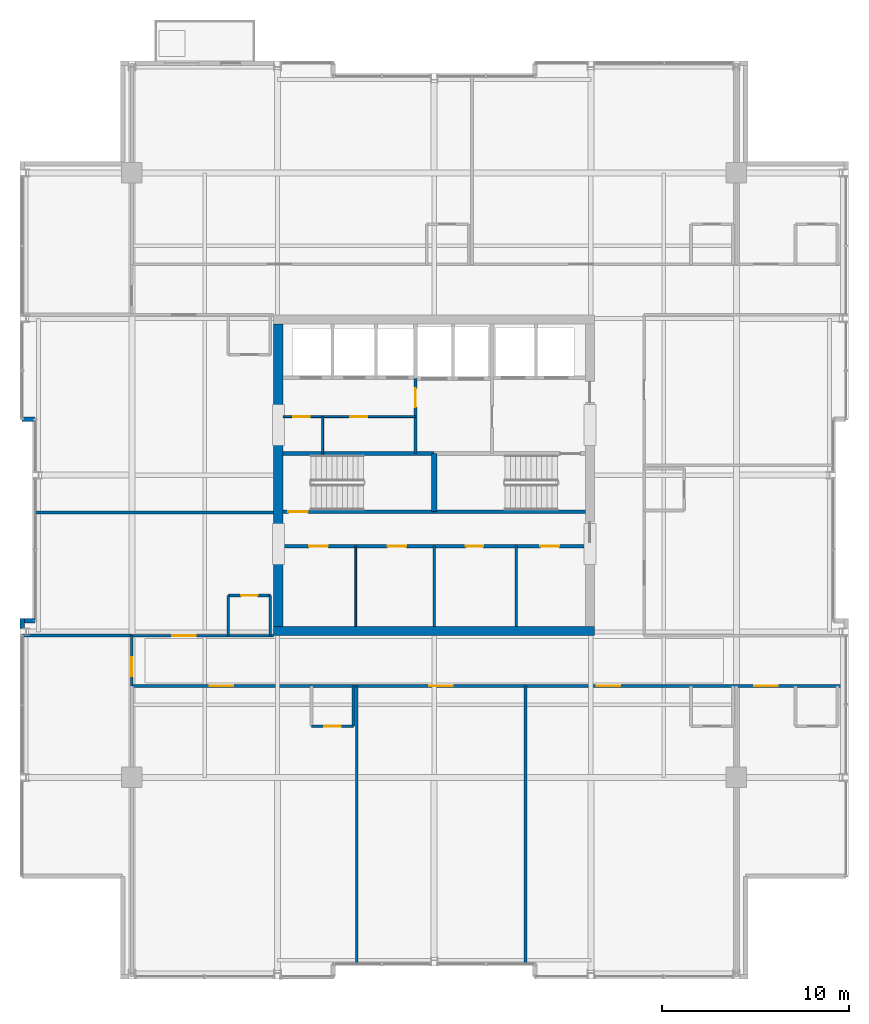
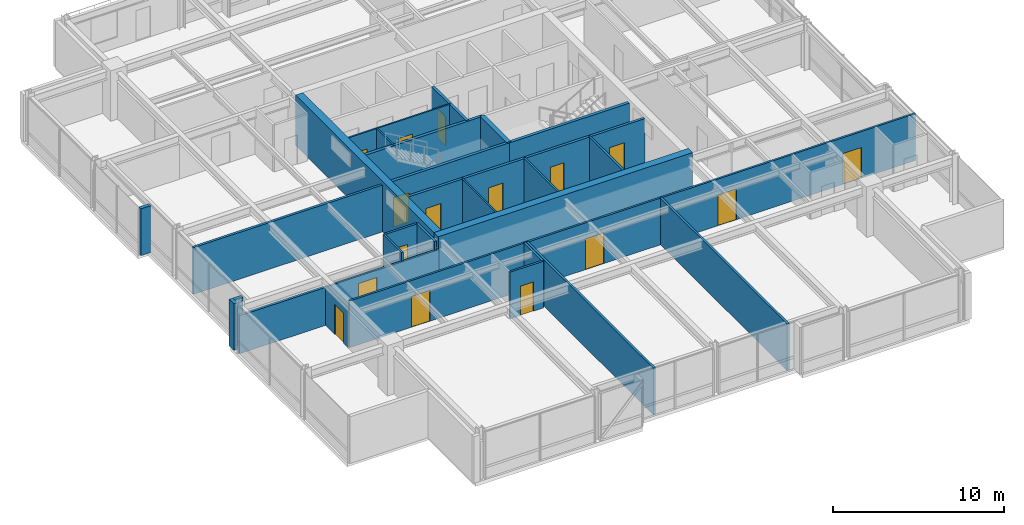
# One storey, part 26 of 32: 28 walls, 16 doors, 16 openings.
"""IFC4 building model written with IfcOpenShell, lengths in metres."""

from ifc_helpers import new_model, si_unit, direction, frame, frame_2d, origin, place, context, subcontext, project, spatial, rectangle, extrude, material, layer, layer_set, type_object, element, fill, save


model = new_model("IFC4")

# Units and contexts
model_context = context("Model", 3, precision=1e-05, world=origin(), true_north=direction((0.0, 1.0)))
body_context = subcontext(model_context, "Body", "Model", "MODEL_VIEW")
ifc_project = project(units=[si_unit("LENGTHUNIT", "METRE"), si_unit("AREAUNIT", "SQUARE_METRE"), si_unit("VOLUMEUNIT", "CUBIC_METRE"), si_unit("PLANEANGLEUNIT", "RADIAN"), si_unit("MASSUNIT", "GRAM", prefix="KILO")], contexts=[model_context])

# Site, building, storey
site_placement = place(None, origin())
site = spatial("IfcSite", under=ifc_project, at=site_placement, CompositionType="ELEMENT")
building_placement = place(site_placement, origin())
building = spatial("IfcBuilding", under=site, at=building_placement, Name="Drelvath Grand Hotel", CompositionType="ELEMENT")
storey_placement = place(building_placement, frame((0.0, 0.0, 223.10009765625)))
storey = spatial("IfcBuildingStorey", under=building, at=storey_placement, Name="L58", CompositionType="ELEMENT", Elevation=223.10009765625)

# Wall, openings, doors
ifc_material_1 = material(Name="Gypsum Partition Board")
ifc_layer_1 = layer(ifc_material_1, 0.10009765625)
ifc_layer_set_1 = layer_set([ifc_layer_1], Name="Gypsum Partition Board")
wall_type_1 = type_object("IfcWallType", Name="Core Closet Partition 100", PredefinedType="PARTITIONING", material=ifc_layer_set_1)
wall_1_placement = place(storey_placement, frame((-8.10009765625, 30.139892578125, 0.0), z_axis=(0.0, 0.0, 1.0), x_axis=(1.0, 0.0, 0.0)))
wall_1 = element("IfcWall", 1, at=wall_1_placement, inside=storey, type_object=wall_type_1, Name="L58 High-Rise Lobby Closet Wall", PredefinedType="PARTITIONING", context=body_context, shape_type="SweptSolid", body=[
    extrude(rectangle(XDim=7.10009765625, YDim=0.10009765625, at=frame_2d((3.550048828125, 0.0))), origin(), (0.0, 0.0, 1.0), 3.33984375),
])
opening_1_placement = place(wall_1_placement, frame((0.550048828125, 0.0, 0.0)))
opening_1 = element("IfcOpeningElement", 2, at=opening_1_placement, cuts=wall_1, Name="Opening D-T4G2-013", PredefinedType="OPENING", context=body_context, shape_type="SweptSolid", body=[
    extrude(rectangle(XDim=0.8798828125, YDim=2.10009765625, at=frame_2d((0.43994140625, 1.050048828125))), frame((0.0, 0.06005859375, 0.0), z_axis=(0.0, -1.0, 0.0), x_axis=(1.0, 0.0, 0.0)), (0.0, 0.0, 1.0), 0.1201171875),
])
opening_2_placement = place(wall_1_placement, frame((3.60009765625, 0.0, 0.0)))
opening_2 = element("IfcOpeningElement", 3, at=opening_2_placement, cuts=wall_1, Name="Opening D-T4G2-014", PredefinedType="OPENING", context=body_context, shape_type="SweptSolid", body=[
    extrude(rectangle(XDim=0.919921875, YDim=2.10009765625, at=frame_2d((0.4599609375, 1.050048828125))), frame((0.0, 0.06005859375, 0.0), z_axis=(0.0, -1.0, 0.0), x_axis=(1.0, 0.0, 0.0)), (0.0, 0.0, 1.0), 0.1201171875),
])
ifc_material_2 = material(Name="Hardwood Walnut Timber", Category="wood")
door_type_1 = type_object("IfcDoorType", Name="En-Suite Bathroom Door 880x2100", OperationType="NOTDEFINED", PredefinedType="DOOR", material=ifc_material_2)
door_1_placement = place(opening_1_placement, origin())
door_1 = element("IfcDoor", 4, at=door_1_placement, inside=storey, type_object=door_type_1, Name="L58 Low-Voltage Closet Door", OperationType="SINGLE_SWING_RIGHT", OverallHeight=2.10009765625, OverallWidth=0.8798828125, PredefinedType="DOOR", context=body_context, shape_type="SweptSolid", body=[
    extrude(rectangle(XDim=0.8798828125, YDim=2.10009765625, at=frame_2d((0.43994140625, 1.050048828125))), frame((0.0, 0.02490234375, 0.0), z_axis=(0.0, -1.0, 0.0), x_axis=(1.0, 0.0, 0.0)), (0.0, 0.0, 1.0), 0.050048828125),
])
fill(opening_1, door_1)
ifc_material_3 = material(Name="Painted Steel S275", Category="steel")
door_type_2 = type_object("IfcDoorType", Name="Staff Utility Door 920x2100", OperationType="NOTDEFINED", PredefinedType="DOOR", material=ifc_material_3)
door_2_placement = place(opening_2_placement, origin())
door_2 = element("IfcDoor", 5, at=door_2_placement, inside=storey, type_object=door_type_2, Name="L58 Telecom Distribution Door", OperationType="SINGLE_SWING_LEFT", OverallHeight=2.10009765625, OverallWidth=0.919921875, PredefinedType="DOOR", context=body_context, shape_type="SweptSolid", body=[
    extrude(rectangle(XDim=0.919921875, YDim=2.10009765625, at=frame_2d((0.4599609375, 1.050048828125))), frame((0.0, 0.02490234375, 0.0), z_axis=(0.0, -1.0, 0.0), x_axis=(1.0, 0.0, 0.0)), (0.0, 0.0, 1.0), 0.050048828125),
])
fill(opening_2, door_2)

# Walls
wall_2_placement = place(storey_placement, frame((-5.97998046875, 28.159912109375, 0.0), z_axis=(0.0, 0.0, 1.0), x_axis=(0.0, 1.0, 0.0)))
element("IfcWall", 6, at=wall_2_placement, inside=storey, type_object=wall_type_1, Name="L58 Core Closet Split 2", PredefinedType="PARTITIONING", context=body_context, shape_type="SweptSolid", body=[
    extrude(rectangle(XDim=1.97998046875, YDim=0.10009765625, at=frame_2d((0.989990234375, 0.0))), origin(), (0.0, 0.0, 1.0), 3.33984375),
])
wall_3_placement = place(storey_placement, frame((-4.199951171875, 18.89990234375, 0.0), z_axis=(0.0, 0.0, 1.0), x_axis=(0.0, 1.0, 0.0)))
element("IfcWall", 7, at=wall_3_placement, inside=storey, type_object=wall_type_1, Name="L58 Upper Core Split 2A", PredefinedType="PARTITIONING", context=body_context, shape_type="SweptSolid", body=[
    extrude(rectangle(XDim=4.300048828125, YDim=0.10009765625, at=frame_2d((2.14990234375, 0.0))), origin(), (0.0, 0.0, 1.0), 3.33984375),
])

# Wall, opening, door
ifc_material_4 = material(Name="Concrete C40/50", Category="concrete")
ifc_layer_2 = layer(ifc_material_4, 0.199951171875)
ifc_layer_set_2 = layer_set([ifc_layer_2], Name="Concrete C40/50")
wall_type_2 = type_object("IfcWallType", Name="Core Shaft Fire Wall 200", PredefinedType="SOLIDWALL", material=ifc_layer_set_2)
wall_4_placement = place(storey_placement, frame((-8.10009765625, 25.0400390625, 0.0), z_axis=(0.0, 0.0, 1.0), x_axis=(1.0, 0.0, 0.0)))
wall_4 = element("IfcWall", 8, at=wall_4_placement, inside=storey, type_object=wall_type_2, Name="L58 Stair ST-1 South Wall", PredefinedType="SOLIDWALL", context=body_context, shape_type="SweptSolid", body=[
    extrude(rectangle(XDim=8.10009765625, YDim=0.199951171875, at=frame_2d((4.050048828125, 0.0))), origin(), (0.0, 0.0, 1.0), 3.33984375),
])
opening_3_placement = place(wall_4_placement, frame((0.280029296875, 0.0, 0.0)))
opening_3 = element("IfcOpeningElement", 9, at=opening_3_placement, cuts=wall_4, Name="Opening D-T4G2-001", PredefinedType="OPENING", context=body_context, shape_type="SweptSolid", body=[
    extrude(rectangle(XDim=1.050048828125, YDim=2.10009765625, at=frame_2d((0.52490234375, 1.050048828125))), frame((0.0, 0.10986328125, 0.0), z_axis=(0.0, -1.0, 0.0), x_axis=(1.0, 0.0, 0.0)), (0.0, 0.0, 1.0), 0.219970703125),
])
door_type_3 = type_object("IfcDoorType", Name="Tower Stairwell Fire Door 1050x2100", OperationType="NOTDEFINED", PredefinedType="DOOR", material=ifc_material_3)
door_3_placement = place(opening_3_placement, origin())
door_3 = element("IfcDoor", 10, at=door_3_placement, inside=storey, type_object=door_type_3, Name="L58 Exit Stair ST-1 Door", OperationType="SINGLE_SWING_LEFT", OverallHeight=2.10009765625, OverallWidth=1.050048828125, PredefinedType="DOOR", context=body_context, shape_type="SweptSolid", body=[
    extrude(rectangle(XDim=1.050048828125, YDim=2.10009765625, at=frame_2d((0.52490234375, 1.050048828125))), frame((0.0, 0.02490234375, 0.0), z_axis=(0.0, -1.0, 0.0), x_axis=(1.0, 0.0, 0.0)), (0.0, 0.0, 1.0), 0.050048828125),
])
fill(opening_3, door_3)

# Walls
for number, where, z_axis, x_axis, name in (
    (11, (-8.10009765625, 28.159912109375, 0.0), (0.0, 0.0, 1.0), (1.0, 0.0, 0.0), "L58 Stair ST-1 North Wall"),
    (12, (0.0, 25.0400390625, 0.0), (0.0, 0.0, 1.0), (1.0, 0.0, 0.0), "L58 Stair ST-2 South Wall"),
):
    element("IfcWall", number, at=place(storey_placement, frame(where, z_axis=z_axis, x_axis=x_axis)), inside=storey, type_object=wall_type_2, Name=name, PredefinedType="SOLIDWALL", context=body_context, shape_type="SweptSolid", body=[
        extrude(rectangle(XDim=8.10009765625, YDim=0.199951171875, at=frame_2d((4.050048828125, 0.0))), origin(), (0.0, 0.0, 1.0), 3.33984375),
    ])
ifc_layer_3 = layer(ifc_material_4, 0.300048828125)
ifc_layer_set_3 = layer_set([ifc_layer_3], Name="Concrete C40/50")
wall_type_3 = type_object("IfcWallType", Name="Core Shaft Fire Wall 300", PredefinedType="SOLIDWALL", material=ifc_layer_set_3)
wall_5_placement = place(storey_placement, frame((0.0, 25.0400390625, 0.0), z_axis=(0.0, 0.0, 1.0), x_axis=(0.0, 1.0, 0.0)))
element("IfcWall", 13, at=wall_5_placement, inside=storey, type_object=wall_type_3, Name="L58 Core Stair Divider Wall", PredefinedType="SOLIDWALL", context=body_context, shape_type="SweptSolid", body=[
    extrude(rectangle(XDim=3.119873046875, YDim=0.300048828125, at=frame_2d((1.56005859375, 0.0))), origin(), (0.0, 0.0, 1.0), 3.33984375),
])

# Wall, openings, doors
ifc_material_5 = material(Name="Gypsum Fireboard Partition")
ifc_layer_4 = layer(ifc_material_5, 0.135009765625)
ifc_layer_set_4 = layer_set([ifc_layer_4], Name="Gypsum Fireboard Partition")
wall_type_4 = type_object("IfcWallType", Name="Corridor Fire Barrier Wall 135", PredefinedType="PARTITIONING", material=ifc_layer_set_4)
wall_6_placement = place(storey_placement, frame((-16.199951171875, 15.699951171875, 0.0), z_axis=(0.0, 0.0, 1.0), x_axis=(1.0, 0.0, 0.0)))
wall_6 = element("IfcWall", 14, at=wall_6_placement, inside=storey, type_object=wall_type_4, Name="L58 South Cross-Gallery Wall", PredefinedType="PARTITIONING", context=body_context, shape_type="SweptSolid", body=[
    extrude(rectangle(XDim=38.280029296875, YDim=0.135009765625, at=frame_2d((19.14013671875, 0.0))), origin(), (0.0, 0.0, 1.0), 3.33984375),
])
opening_4_placement = place(wall_6_placement, frame((33.35498046875, 0.0, 0.0)))
opening_4 = element("IfcOpeningElement", 15, at=opening_4_placement, cuts=wall_6, Name="Opening D-T4G2-023", PredefinedType="OPENING", context=body_context, shape_type="SweptSolid", body=[
    extrude(rectangle(XDim=1.260009765625, YDim=2.199951171875, at=frame_2d((0.6298828125, 1.10009765625))), frame((0.0, 0.077392578125, 0.0), z_axis=(0.0, -1.0, 0.0), x_axis=(1.0, 0.0, 0.0)), (0.0, 0.0, 1.0), 0.155029296875),
])
opening_5_placement = place(wall_6_placement, frame((4.182861328125, 0.0, 0.0)))
opening_5 = element("IfcOpeningElement", 16, at=opening_5_placement, cuts=wall_6, Name="Opening D-T4G2-027", PredefinedType="OPENING", context=body_context, shape_type="SweptSolid", body=[
    extrude(rectangle(XDim=1.260009765625, YDim=2.199951171875, at=frame_2d((0.6298828125, 1.10009765625))), frame((0.0, 0.077392578125, 0.0), z_axis=(0.0, -1.0, 0.0), x_axis=(1.0, 0.0, 0.0)), (0.0, 0.0, 1.0), 0.155029296875),
])
opening_6_placement = place(wall_6_placement, frame((15.94677734375, 0.0, 0.0)))
opening_6 = element("IfcOpeningElement", 17, at=opening_6_placement, cuts=wall_6, Name="Opening D-T4G2-028", PredefinedType="OPENING", context=body_context, shape_type="SweptSolid", body=[
    extrude(rectangle(XDim=1.260009765625, YDim=2.199951171875, at=frame_2d((0.6298828125, 1.10009765625))), frame((0.0, 0.077392578125, 0.0), z_axis=(0.0, -1.0, 0.0), x_axis=(1.0, 0.0, 0.0)), (0.0, 0.0, 1.0), 0.155029296875),
])
opening_7_placement = place(wall_6_placement, frame((24.90380859375, 0.0, 0.0)))
opening_7 = element("IfcOpeningElement", 18, at=opening_7_placement, cuts=wall_6, Name="Opening D-T4G2-030", PredefinedType="OPENING", context=body_context, shape_type="SweptSolid", body=[
    extrude(rectangle(XDim=1.260009765625, YDim=2.199951171875, at=frame_2d((0.6298828125, 1.10009765625))), frame((0.0, 0.077392578125, 0.0), z_axis=(0.0, -1.0, 0.0), x_axis=(1.0, 0.0, 0.0)), (0.0, 0.0, 1.0), 0.155029296875),
])
door_type_4 = type_object("IfcDoorType", Name="Suite Entrance Fire Door 1260x2200", OperationType="NOTDEFINED", PredefinedType="DOOR", material=ifc_material_2)
door_4_placement = place(opening_4_placement, origin())
door_4 = element("IfcDoor", 19, at=door_4_placement, inside=storey, type_object=door_type_4, Name="L58 Diplomatic Suite Entry Door", OperationType="SINGLE_SWING_RIGHT", OverallHeight=2.199951171875, OverallWidth=1.260009765625, PredefinedType="DOOR", context=body_context, shape_type="SweptSolid", body=[
    extrude(rectangle(XDim=1.260009765625, YDim=2.199951171875, at=frame_2d((0.6298828125, 1.10009765625))), frame((0.0, 0.02490234375, 0.0), z_axis=(0.0, -1.0, 0.0), x_axis=(1.0, 0.0, 0.0)), (0.0, 0.0, 1.0), 0.050048828125),
])
fill(opening_4, door_4)
door_5_placement = place(opening_5_placement, origin())
door_5 = element("IfcDoor", 20, at=door_5_placement, inside=storey, type_object=door_type_4, Name="L58 Diplomatic Suite Entry Door", OperationType="SINGLE_SWING_RIGHT", OverallHeight=2.199951171875, OverallWidth=1.260009765625, PredefinedType="DOOR", context=body_context, shape_type="SweptSolid", body=[
    extrude(rectangle(XDim=1.260009765625, YDim=2.199951171875, at=frame_2d((0.6298828125, 1.10009765625))), frame((0.0, 0.02490234375, 0.0), z_axis=(0.0, -1.0, 0.0), x_axis=(1.0, 0.0, 0.0)), (0.0, 0.0, 1.0), 0.050048828125),
])
fill(opening_5, door_5)
door_6_placement = place(opening_6_placement, origin())
door_6 = element("IfcDoor", 21, at=door_6_placement, inside=storey, type_object=door_type_4, Name="L58 Private Spa Suite Room Entry Door", OperationType="SINGLE_SWING_LEFT", OverallHeight=2.199951171875, OverallWidth=1.260009765625, PredefinedType="DOOR", context=body_context, shape_type="SweptSolid", body=[
    extrude(rectangle(XDim=1.260009765625, YDim=2.199951171875, at=frame_2d((0.6298828125, 1.10009765625))), frame((0.0, 0.02490234375, 0.0), z_axis=(0.0, -1.0, 0.0), x_axis=(1.0, 0.0, 0.0)), (0.0, 0.0, 1.0), 0.050048828125),
])
fill(opening_6, door_6)
door_7_placement = place(opening_7_placement, origin())
door_7 = element("IfcDoor", 22, at=door_7_placement, inside=storey, type_object=door_type_4, Name="L58 Diplomatic Suite Entry Door", OperationType="SINGLE_SWING_LEFT", OverallHeight=2.199951171875, OverallWidth=1.260009765625, PredefinedType="DOOR", context=body_context, shape_type="SweptSolid", body=[
    extrude(rectangle(XDim=1.260009765625, YDim=2.199951171875, at=frame_2d((0.6298828125, 1.10009765625))), frame((0.0, 0.02490234375, 0.0), z_axis=(0.0, -1.0, 0.0), x_axis=(1.0, 0.0, 0.0)), (0.0, 0.0, 1.0), 0.050048828125),
])
fill(opening_7, door_7)

# Wall, opening, door
wall_7_placement = place(storey_placement, frame((-16.199951171875, 18.39990234375, 0.0), z_axis=(0.0, 0.0, 1.0), x_axis=(1.0, 0.0, 0.0)))
wall_7 = element("IfcWall", 23, at=wall_7_placement, inside=storey, type_object=wall_type_4, Name="L58 South Gallery Inner West Wall", PredefinedType="PARTITIONING", context=body_context, shape_type="SweptSolid", body=[
    extrude(rectangle(XDim=7.599853515625, YDim=0.135009765625, at=frame_2d((3.7998046875, 0.0))), origin(), (0.0, 0.0, 1.0), 2.71728515625),
])
opening_8_placement = place(wall_7_placement, frame((2.155029296875, 0.0, 0.0)))
opening_8 = element("IfcOpeningElement", 24, at=opening_8_placement, cuts=wall_7, Name="Opening D-T4G2-039", PredefinedType="OPENING", context=body_context, shape_type="SweptSolid", body=[
    extrude(rectangle(XDim=1.260009765625, YDim=2.199951171875, at=frame_2d((0.6298828125, 1.10009765625))), frame((0.0, 0.077392578125, 0.0), z_axis=(0.0, -1.0, 0.0), x_axis=(1.0, 0.0, 0.0)), (0.0, 0.0, 1.0), 0.155029296875),
])
door_8_placement = place(opening_8_placement, origin())
door_8 = element("IfcDoor", 25, at=door_8_placement, inside=storey, type_object=door_type_4, Name="L58 Diplomatic Suite Entry Door", OperationType="SINGLE_SWING_RIGHT", OverallHeight=2.199951171875, OverallWidth=1.260009765625, PredefinedType="DOOR", context=body_context, shape_type="SweptSolid", body=[
    extrude(rectangle(XDim=1.260009765625, YDim=2.199951171875, at=frame_2d((0.6298828125, 1.10009765625))), frame((0.0, 0.02490234375, 0.0), z_axis=(0.0, -1.0, 0.0), x_axis=(1.0, 0.0, 0.0)), (0.0, 0.0, 1.0), 0.050048828125),
])
fill(opening_8, door_8)

wall_8_placement = place(storey_placement, frame((-16.199951171875, 15.699951171875, 0.0), z_axis=(0.0, 0.0, 1.0), x_axis=(0.0, 1.0, 0.0)))
wall_8 = element("IfcWall", 26, at=wall_8_placement, inside=storey, type_object=wall_type_4, Name="L58 South Gallery West End", PredefinedType="PARTITIONING", context=body_context, shape_type="SweptSolid", body=[
    extrude(rectangle(XDim=2.699951171875, YDim=0.135009765625, at=frame_2d((1.35009765625, 0.0))), origin(), (0.0, 0.0, 1.0), 2.713623046875),
])
opening_9_placement = place(wall_8_placement, frame((0.52001953125, 0.0, 0.0)))
opening_9 = element("IfcOpeningElement", 27, at=opening_9_placement, cuts=wall_8, Name="Opening D-T4G2-020", PredefinedType="OPENING", context=body_context, shape_type="SweptSolid", body=[
    extrude(rectangle(XDim=1.02001953125, YDim=2.14990234375, at=frame_2d((0.510009765625, 1.074951171875))), frame((0.0, 0.077392578125, 0.0), z_axis=(0.0, -1.0, 0.0), x_axis=(1.0, 0.0, 0.0)), (0.0, 0.0, 1.0), 0.155029296875),
])
door_type_5 = type_object("IfcDoorType", Name="Amenity Meeting Fire Door 1020x2150", OperationType="NOTDEFINED", PredefinedType="DOOR", material=ifc_material_2)
door_9_placement = place(opening_9_placement, origin())
door_9 = element("IfcDoor", 28, at=door_9_placement, inside=storey, type_object=door_type_5, Name="L58 Corner Panorama Lounge Door", OperationType="SINGLE_SWING_LEFT", OverallHeight=2.14990234375, OverallWidth=1.02001953125, PredefinedType="DOOR", context=body_context, shape_type="SweptSolid", body=[
    extrude(rectangle(XDim=1.02001953125, YDim=2.14990234375, at=frame_2d((0.510009765625, 1.074951171875))), frame((0.0, 0.02490234375, 0.0), z_axis=(0.0, -1.0, 0.0), x_axis=(1.0, 0.0, 0.0)), (0.0, 0.0, 1.0), 0.050048828125),
])
fill(opening_9, door_9)

# Walls
ifc_material_6 = material(Name="Moisture-Resistant Gypsum Board")
ifc_layer_5 = layer(ifc_material_6, 0.139892578125)
ifc_layer_set_5 = layer_set([ifc_layer_5], Name="Moisture-Resistant Gypsum Board")
wall_type_5 = type_object("IfcWallType", Name="En-Suite Plumbing Wall 140", PredefinedType="PLUMBINGWALL", material=ifc_layer_set_5)
for number, where, z_axis, x_axis, name in (
    (29, (0.0, 18.89990234375, 0.0), (0.0, 0.0, 1.0), (0.0, 1.0, 0.0), "L58 Upper Core Split 2B"),
    (30, (4.39990234375, 18.89990234375, 0.0), (0.0, 0.0, 1.0), (0.0, 1.0, 0.0), "L58 Upper Core Split 2C"),
):
    element("IfcWall", number, at=place(storey_placement, frame(where, z_axis=z_axis, x_axis=x_axis)), inside=storey, type_object=wall_type_5, Name=name, PredefinedType="PLUMBINGWALL", context=body_context, shape_type="SweptSolid", body=[
        extrude(rectangle(XDim=4.300048828125, YDim=0.139892578125, at=frame_2d((2.14990234375, 0.0))), origin(), (0.0, 0.0, 1.0), 3.33984375),
    ])
wall_9_placement = place(storey_placement, frame((-4.32421875, 15.699951171875, 0.0), z_axis=(0.0, 0.0, 1.0), x_axis=(0.0, -1.0, 0.0)))
element("IfcWall", 31, at=wall_9_placement, inside=storey, type_object=wall_type_5, Name="L58 En-Suite Right Wall", PredefinedType="PLUMBINGWALL", context=body_context, shape_type="SweptSolid", body=[
    extrude(rectangle(XDim=2.14990234375, YDim=0.139892578125, at=frame_2d((1.074951171875, 0.0))), origin(), (0.0, 0.0, 1.0), 3.33984375),
])

# Wall, opening, door
wall_10_placement = place(storey_placement, frame((-6.57421875, 13.550048828125, 0.0), z_axis=(0.0, 0.0, 1.0), x_axis=(1.0, 0.0, 0.0)))
wall_10 = element("IfcWall", 32, at=wall_10_placement, inside=storey, type_object=wall_type_5, Name="L58 En-Suite Front Wall", PredefinedType="PLUMBINGWALL", context=body_context, shape_type="SweptSolid", body=[
    extrude(rectangle(XDim=2.25, YDim=0.139892578125, at=frame_2d((1.125, 0.0))), origin(), (0.0, 0.0, 1.0), 3.33984375),
])
opening_10_placement = place(wall_10_placement, frame((0.68505859375, 0.0, 0.0)))
opening_10 = element("IfcOpeningElement", 33, at=opening_10_placement, cuts=wall_10, Name="Opening D-T4G2-026", PredefinedType="OPENING", context=body_context, shape_type="SweptSolid", body=[
    extrude(rectangle(XDim=0.8798828125, YDim=2.10009765625, at=frame_2d((0.43994140625, 1.050048828125))), frame((0.0, 0.079833984375, 0.0), z_axis=(0.0, -1.0, 0.0), x_axis=(1.0, 0.0, 0.0)), (0.0, 0.0, 1.0), 0.159912109375),
])
door_10_placement = place(opening_10_placement, origin())
door_10 = element("IfcDoor", 34, at=door_10_placement, inside=storey, type_object=door_type_1, Name="L58 En-Suite Bathroom Door", OperationType="SINGLE_SWING_LEFT", OverallHeight=2.10009765625, OverallWidth=0.8798828125, PredefinedType="DOOR", context=body_context, shape_type="SweptSolid", body=[
    extrude(rectangle(XDim=0.8798828125, YDim=2.10009765625, at=frame_2d((0.43994140625, 1.050048828125))), frame((0.0, 0.02490234375, 0.0), z_axis=(0.0, -1.0, 0.0), x_axis=(1.0, 0.0, 0.0)), (0.0, 0.0, 1.0), 0.050048828125),
])
fill(opening_10, door_10)

# Walls
for number, where, z_axis, x_axis, name in (
    (35, (-11.030029296875, 18.39990234375, 0.0), (0.0, 0.0, 1.0), (0.0, 1.0, 0.0), "L58 En-Suite Left Wall"),
    (36, (-8.780029296875, 18.39990234375, 0.0), (0.0, 0.0, 1.0), (0.0, 1.0, 0.0), "L58 En-Suite Right Wall"),
):
    element("IfcWall", number, at=place(storey_placement, frame(where, z_axis=z_axis, x_axis=x_axis)), inside=storey, type_object=wall_type_5, Name=name, PredefinedType="PLUMBINGWALL", context=body_context, shape_type="SweptSolid", body=[
        extrude(rectangle(XDim=2.150146484375, YDim=0.139892578125, at=frame_2d((1.0751953125, 0.0))), origin(), (0.0, 0.0, 1.0), 3.33984375),
    ])

# Wall, opening, door
wall_11_placement = place(storey_placement, frame((-11.030029296875, 20.550048828125, 0.0), z_axis=(0.0, 0.0, 1.0), x_axis=(1.0, 0.0, 0.0)))
wall_11 = element("IfcWall", 37, at=wall_11_placement, inside=storey, type_object=wall_type_5, Name="L58 En-Suite Front Wall", PredefinedType="PLUMBINGWALL", context=body_context, shape_type="SweptSolid", body=[
    extrude(rectangle(XDim=2.25, YDim=0.139892578125, at=frame_2d((1.125, 0.0))), origin(), (0.0, 0.0, 1.0), 3.33984375),
])
opening_11_placement = place(wall_11_placement, frame((0.68505859375, 0.0, 0.0)))
opening_11 = element("IfcOpeningElement", 38, at=opening_11_placement, cuts=wall_11, Name="Opening D-T4G2-038", PredefinedType="OPENING", context=body_context, shape_type="SweptSolid", body=[
    extrude(rectangle(XDim=0.8798828125, YDim=2.10009765625, at=frame_2d((0.43994140625, 1.050048828125))), frame((0.0, 0.079833984375, 0.0), z_axis=(0.0, -1.0, 0.0), x_axis=(1.0, 0.0, 0.0)), (0.0, 0.0, 1.0), 0.159912109375),
])
door_11_placement = place(opening_11_placement, origin())
door_11 = element("IfcDoor", 39, at=door_11_placement, inside=storey, type_object=door_type_1, Name="L58 En-Suite Bathroom Door", OperationType="SINGLE_SWING_LEFT", OverallHeight=2.10009765625, OverallWidth=0.8798828125, PredefinedType="DOOR", context=body_context, shape_type="SweptSolid", body=[
    extrude(rectangle(XDim=0.8798828125, YDim=2.10009765625, at=frame_2d((0.43994140625, 1.050048828125))), frame((0.0, 0.02490234375, 0.0), z_axis=(0.0, -1.0, 0.0), x_axis=(1.0, 0.0, 0.0)), (0.0, 0.0, 1.0), 0.050048828125),
])
fill(opening_11, door_11)

ifc_layer_6 = layer(ifc_material_5, 0.179931640625)
ifc_layer_set_6 = layer_set([ifc_layer_6], Name="Gypsum Fireboard Partition")
wall_type_6 = type_object("IfcWallType", Name="FSAE Smoke Lobby Fire Wall 180", PredefinedType="SOLIDWALL", material=ifc_layer_set_6)
wall_12_placement = place(storey_placement, frame((-1.0, 28.159912109375, 0.0), z_axis=(0.0, 0.0, 1.0), x_axis=(0.0, 1.0, 0.0)))
wall_12 = element("IfcWall", 40, at=wall_12_placement, inside=storey, type_object=wall_type_6, Name="L58 Service Vestibule West Wall", PredefinedType="SOLIDWALL", context=body_context, shape_type="SweptSolid", body=[
    extrude(rectangle(XDim=4.02001953125, YDim=0.179931640625, at=frame_2d((2.010009765625, 0.0))), origin(), (0.0, 0.0, 1.0), 3.33984375),
])
opening_12_placement = place(wall_12_placement, frame((2.489990234375, 0.0, 0.0)))
opening_12 = element("IfcOpeningElement", 41, at=opening_12_placement, cuts=wall_12, Name="Opening D-T4G2-009", PredefinedType="OPENING", context=body_context, shape_type="SweptSolid", body=[
    extrude(rectangle(XDim=1.0, YDim=2.10009765625, at=frame_2d((0.5, 1.050048828125))), frame((0.0, 0.099853515625, 0.0), z_axis=(0.0, -1.0, 0.0), x_axis=(1.0, 0.0, 0.0)), (0.0, 0.0, 1.0), 0.199951171875),
])
door_type_6 = type_object("IfcDoorType", Name="Core Service Fire Door 1000x2100", OperationType="NOTDEFINED", PredefinedType="DOOR", material=ifc_material_3)
door_12_placement = place(opening_12_placement, origin())
door_12 = element("IfcDoor", 42, at=door_12_placement, inside=storey, type_object=door_type_6, Name="L58 Service Vestibule West Door", OperationType="SINGLE_SWING_LEFT", OverallHeight=2.10009765625, OverallWidth=1.0, PredefinedType="DOOR", context=body_context, shape_type="SweptSolid", body=[
    extrude(rectangle(XDim=1.0, YDim=2.10009765625, at=frame_2d((0.5, 1.050048828125))), frame((0.0, 0.02490234375, 0.0), z_axis=(0.0, -1.0, 0.0), x_axis=(1.0, 0.0, 0.0)), (0.0, 0.0, 1.0), 0.050048828125),
])
fill(opening_12, door_12)

# Wall, openings, doors
wall_13_placement = place(storey_placement, frame((-8.10009765625, 23.199951171875, 0.0), z_axis=(0.0, 0.0, 1.0), x_axis=(1.0, 0.0, 0.0)))
wall_13 = element("IfcWall", 43, at=wall_13_placement, inside=storey, type_object=wall_type_6, Name="L58 Upper Reclaimed Core Wall", PredefinedType="SOLIDWALL", context=body_context, shape_type="SweptSolid", body=[
    extrude(rectangle(XDim=16.2001953125, YDim=0.179931640625, at=frame_2d((8.10009765625, 0.0))), origin(), (0.0, 0.0, 1.0), 3.33984375),
])
opening_13_placement = place(wall_13_placement, frame((1.39990234375, 0.0, 0.0)))
opening_13 = element("IfcOpeningElement", 44, at=opening_13_placement, cuts=wall_13, Name="Opening D-T4G2-016", PredefinedType="OPENING", context=body_context, shape_type="SweptSolid", body=[
    extrude(rectangle(XDim=1.0, YDim=2.10009765625, at=frame_2d((0.5, 1.050048828125))), frame((0.0, 0.099853515625, 0.0), z_axis=(0.0, -1.0, 0.0), x_axis=(1.0, 0.0, 0.0)), (0.0, 0.0, 1.0), 0.199951171875),
])
opening_14_placement = place(wall_13_placement, frame((5.60009765625, 0.0, 0.0)))
opening_14 = element("IfcOpeningElement", 45, at=opening_14_placement, cuts=wall_13, Name="Opening D-T4G2-017", PredefinedType="OPENING", context=body_context, shape_type="SweptSolid", body=[
    extrude(rectangle(XDim=1.0, YDim=2.10009765625, at=frame_2d((0.5, 1.050048828125))), frame((0.0, 0.099853515625, 0.0), z_axis=(0.0, -1.0, 0.0), x_axis=(1.0, 0.0, 0.0)), (0.0, 0.0, 1.0), 0.199951171875),
])
opening_15_placement = place(wall_13_placement, frame((9.800048828125, 0.0, 0.0)))
opening_15 = element("IfcOpeningElement", 46, at=opening_15_placement, cuts=wall_13, Name="Opening D-T4G2-018", PredefinedType="OPENING", context=body_context, shape_type="SweptSolid", body=[
    extrude(rectangle(XDim=0.919921875, YDim=2.10009765625, at=frame_2d((0.4599609375, 1.050048828125))), frame((0.0, 0.099853515625, 0.0), z_axis=(0.0, -1.0, 0.0), x_axis=(1.0, 0.0, 0.0)), (0.0, 0.0, 1.0), 0.199951171875),
])
opening_16_placement = place(wall_13_placement, frame((13.800048828125, 0.0, 0.0)))
opening_16 = element("IfcOpeningElement", 47, at=opening_16_placement, cuts=wall_13, Name="Opening D-T4G2-019", PredefinedType="OPENING", context=body_context, shape_type="SweptSolid", body=[
    extrude(rectangle(XDim=1.0, YDim=2.10009765625, at=frame_2d((0.5, 1.050048828125))), frame((0.0, 0.099853515625, 0.0), z_axis=(0.0, -1.0, 0.0), x_axis=(1.0, 0.0, 0.0)), (0.0, 0.0, 1.0), 0.199951171875),
])
door_13_placement = place(opening_13_placement, origin())
door_13 = element("IfcDoor", 48, at=door_13_placement, inside=storey, type_object=door_type_6, Name="L58 Housekeeping Door", OperationType="SINGLE_SWING_LEFT", OverallHeight=2.10009765625, OverallWidth=1.0, PredefinedType="DOOR", context=body_context, shape_type="SweptSolid", body=[
    extrude(rectangle(XDim=1.0, YDim=2.10009765625, at=frame_2d((0.5, 1.050048828125))), frame((0.0, 0.02490234375, 0.0), z_axis=(0.0, -1.0, 0.0), x_axis=(1.0, 0.0, 0.0)), (0.0, 0.0, 1.0), 0.050048828125),
])
fill(opening_13, door_13)
door_14_placement = place(opening_14_placement, origin())
door_14 = element("IfcDoor", 49, at=door_14_placement, inside=storey, type_object=door_type_6, Name="L58 Valet Door", OperationType="SINGLE_SWING_RIGHT", OverallHeight=2.10009765625, OverallWidth=1.0, PredefinedType="DOOR", context=body_context, shape_type="SweptSolid", body=[
    extrude(rectangle(XDim=1.0, YDim=2.10009765625, at=frame_2d((0.5, 1.050048828125))), frame((0.0, 0.02490234375, 0.0), z_axis=(0.0, -1.0, 0.0), x_axis=(1.0, 0.0, 0.0)), (0.0, 0.0, 1.0), 0.050048828125),
])
fill(opening_14, door_14)
door_15_placement = place(opening_15_placement, origin())
door_15 = element("IfcDoor", 50, at=door_15_placement, inside=storey, type_object=door_type_6, Name="L58 Staff WC Door", OperationType="SINGLE_SWING_LEFT", OverallHeight=2.10009765625, OverallWidth=0.919921875, PredefinedType="DOOR", context=body_context, shape_type="SweptSolid", body=[
    extrude(rectangle(XDim=0.919921875, YDim=2.10009765625, at=frame_2d((0.4599609375, 1.050048828125))), frame((0.0, 0.02490234375, 0.0), z_axis=(0.0, -1.0, 0.0), x_axis=(1.0, 0.0, 0.0)), (0.0, 0.0, 1.0), 0.050048828125),
])
fill(opening_15, door_15)
door_16_placement = place(opening_16_placement, origin())
door_16 = element("IfcDoor", 51, at=door_16_placement, inside=storey, type_object=door_type_6, Name="L58 Telecom Door", OperationType="SINGLE_SWING_RIGHT", OverallHeight=2.10009765625, OverallWidth=1.0, PredefinedType="DOOR", context=body_context, shape_type="SweptSolid", body=[
    extrude(rectangle(XDim=1.0, YDim=2.10009765625, at=frame_2d((0.5, 1.050048828125))), frame((0.0, 0.02490234375, 0.0), z_axis=(0.0, -1.0, 0.0), x_axis=(1.0, 0.0, 0.0)), (0.0, 0.0, 1.0), 0.050048828125),
])
fill(opening_16, door_16)

# Walls
ifc_material_7 = material(Name="Gypsum Acoustic Partition")
ifc_layer_7 = layer(ifc_material_7, 0.14990234375)
ifc_layer_set_7 = layer_set([ifc_layer_7], Name="Gypsum Acoustic Partition")
wall_type_7 = type_object("IfcWallType", Name="Guestroom Demising Wall 150", PredefinedType="PARTITIONING", material=ifc_layer_set_7)
for number, where, z_axis, x_axis, name in (
    (52, (-4.144287109375, 0.800048828125, 0.0), (0.0, 0.0, 1.0), (0.0, 1.0, 0.0), "L58 South Demising 1"),
    (53, (4.897705078125, 0.800048828125, 0.0), (0.0, 0.0, 1.0), (0.0, 1.0, 0.0), "L58 South Demising 2"),
):
    element("IfcWall", number, at=place(storey_placement, frame(where, z_axis=z_axis, x_axis=x_axis)), inside=storey, type_object=wall_type_7, Name=name, PredefinedType="PARTITIONING", context=body_context, shape_type="SweptSolid", body=[
        extrude(rectangle(XDim=14.89990234375, YDim=0.14990234375, at=frame_2d((7.449951171875, 0.0))), origin(), (0.0, 0.0, 1.0), 3.33984375),
    ])
ifc_layer_8 = layer(ifc_material_7, 0.1650390625)
ifc_layer_set_8 = layer_set([ifc_layer_8], Name="Gypsum Acoustic Partition")
wall_type_8 = type_object("IfcWallType", Name="Suite Demising Wall 165", PredefinedType="PARTITIONING", material=ifc_layer_set_8)
wall_14_placement = place(storey_placement, frame((-22.080078125, 18.39990234375, 0.0), z_axis=(0.0, 0.0, 1.0), x_axis=(1.0, 0.0, 0.0)))
element("IfcWall", 54, at=wall_14_placement, inside=storey, type_object=wall_type_8, Name="L58 SW Corner North Wall", PredefinedType="PARTITIONING", context=body_context, shape_type="SweptSolid", body=[
    extrude(rectangle(XDim=5.880126953125, YDim=0.1650390625, at=frame_2d((2.93994140625, 0.0))), origin(), (0.0, 0.0, 1.0), 2.713623046875),
])
wall_15_placement = place(storey_placement, frame((-21.39990234375, 25.0, 0.0), z_axis=(0.0, 0.0, 1.0), x_axis=(1.0, 0.0, 0.0)))
element("IfcWall", 55, at=wall_15_placement, inside=storey, type_object=wall_type_8, Name="L58 West Grand Suite Split Wall", PredefinedType="PARTITIONING", context=body_context, shape_type="SweptSolid", body=[
    extrude(rectangle(XDim=12.7998046875, YDim=0.1650390625, at=frame_2d((6.39990234375, 0.0))), origin(), (0.0, 0.0, 1.0), 3.33984375),
])
ifc_material_8 = material(Name="Pale-Metal Insulated Aluminium Spandrel Assembly", Category="aluminium")
ifc_layer_9 = layer(ifc_material_8, 0.239990234375)
ifc_layer_set_9 = layer_set([ifc_layer_9], Name="Pale-Metal Insulated Aluminium Spandrel Assembly")
wall_type_9 = type_object("IfcWallType", Name="Tower Insulated Metal Spandrel Closure Wall 240", PredefinedType="STANDARD", material=ifc_layer_set_9)
wall_16_placement = place(storey_placement, frame((-22.080078125, 18.785400390625, 0.0), z_axis=(0.0, 0.0, 1.0), x_axis=(0.0, 1.0, 0.0)))
element("IfcWall", 56, at=wall_16_placement, inside=storey, type_object=wall_type_9, Name="L58 Corner Pier Spandrel Wall WS3", PredefinedType="STANDARD", context=body_context, shape_type="SweptSolid", body=[
    extrude(rectangle(XDim=0.53466796875, YDim=0.239990234375, at=frame_2d((0.267333984375, 0.0))), origin(), (0.0, 0.0, 1.0), 3.33984375),
])
wall_17_placement = place(storey_placement, frame((-21.9599609375, 19.199951171875, 0.0), z_axis=(0.0, 0.0, 1.0), x_axis=(1.0, 0.0, 0.0)))
element("IfcWall", 57, at=wall_17_placement, inside=storey, type_object=wall_type_9, Name="L58 Notched Corner Return Spandrel Wall RW1", PredefinedType="STANDARD", context=body_context, shape_type="SweptSolid", body=[
    extrude(rectangle(XDim=0.56005859375, YDim=0.239990234375, at=frame_2d((0.280029296875, 0.0))), origin(), (0.0, 0.0, 1.0), 3.33984375),
])
wall_18_placement = place(storey_placement, frame((-21.39990234375, 30.0, 0.0), z_axis=(0.0, 0.0, 1.0), x_axis=(-1.0, 0.0, 0.0)))
element("IfcWall", 58, at=wall_18_placement, inside=storey, type_object=wall_type_9, Name="L58 Notched Corner Return Spandrel Wall RW2", PredefinedType="STANDARD", context=body_context, shape_type="SweptSolid", body=[
    extrude(rectangle(XDim=0.68017578125, YDim=0.239990234375, at=frame_2d((0.340087890625, 0.0))), origin(), (0.0, 0.0, 1.0), 3.33984375),
])
ifc_material_9 = material(Name="Concrete f'c 55 MPa", Category="concrete")
ifc_layer_10 = layer(ifc_material_9, 0.5)
ifc_layer_set_10 = layer_set([ifc_layer_10], Name="Concrete f'c 55 MPa")
wall_type_10 = type_object("IfcWallType", Name="Upper Core RC Shear Wall 500", PredefinedType="SHEAR", material=ifc_layer_set_10)
wall_19_placement = place(storey_placement, frame((8.60009765625, 18.64990234375, 0.0), z_axis=(0.0, 0.0, 1.0), x_axis=(-1.0, 0.0, 0.0)))
element("IfcWall", 59, at=wall_19_placement, inside=storey, type_object=wall_type_10, Name="L58 Central Core Shear Wall S", PredefinedType="SHEAR", context=body_context, shape_type="SweptSolid", body=[
    extrude(rectangle(XDim=17.2001953125, YDim=0.5, at=frame_2d((8.60009765625, 0.0))), origin(), (0.0, 0.0, 1.0), 3.599853515625),
])
wall_20_placement = place(storey_placement, frame((-8.35009765625, 18.89990234375, 0.0), z_axis=(0.0, 0.0, 1.0), x_axis=(0.0, 1.0, 0.0)))
element("IfcWall", 60, at=wall_20_placement, inside=storey, type_object=wall_type_10, Name="L58 Central Core Shear Wall W", PredefinedType="SHEAR", context=body_context, shape_type="SweptSolid", body=[
    extrude(rectangle(XDim=16.2001953125, YDim=0.5, at=frame_2d((8.10009765625, 0.0))), origin(), (0.0, 0.0, 1.0), 3.599853515625),
])

save(model, "model.ifc")
